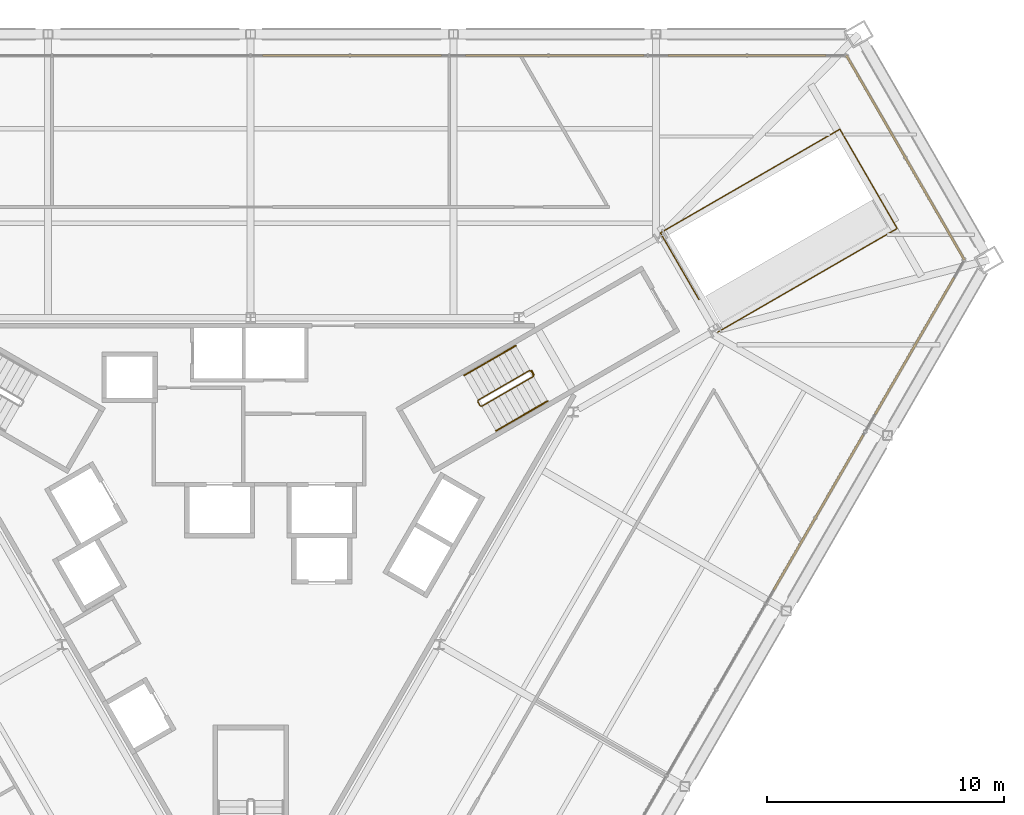
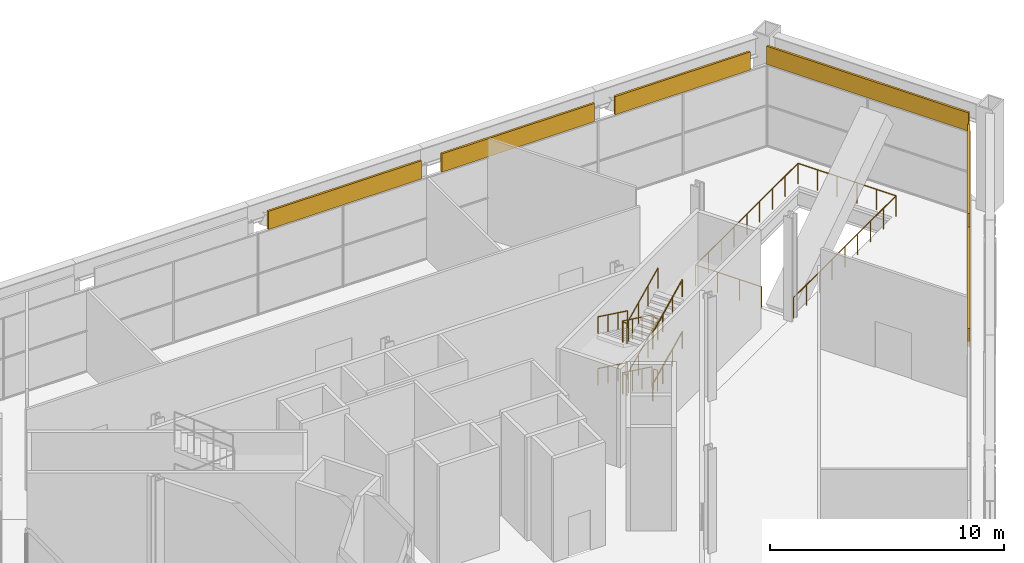
# One storey, part 19 of 20: 7 railings, 6 coverings.
"""IFC4 building model written with IfcOpenShell, lengths in metres."""

import ifcopenshell
import ifcopenshell.guid

model = None  # the IFC model being written
_history = None  # IfcOwnerHistory: only IFC2X3 demands one
_inside = {}  # id of a spatial element -> (the spatial element, [elements in it])
_under = {}  # id of a project, library or spatial element -> (it, [spatial elements below it])
_declared = {}  # id of a project -> (the project, [libraries it declares])
_typed = {}  # id of a type object -> (the type object, [elements of that type])
_made_of = {}  # id of a material, layer set ... -> (it, [elements and type objects made of it])


def new_model(schema):
    """Start an empty IFC model of exactly this schema.

    Asked for "IFC4X3", IfcOpenShell would pick the latest addendum, in which some entities
    have other attributes; the version numbers below select the first issue.
    IFC2X3 requires an IfcOwnerHistory on every rooted entity: one is made here for all.
    """
    global model, _history
    if schema == "IFC4X3":
        model = ifcopenshell.file(schema_version=(4, 3, 0, 0))
    else:
        model = ifcopenshell.file(schema=schema)
    _inside.clear()
    _under.clear()
    _declared.clear()
    _typed.clear()
    _made_of.clear()
    _history = None
    if model.schema == "IFC2X3":
        org = make("IfcOrganization", Name="unknown")
        user = make(
            "IfcPersonAndOrganization",
            ThePerson=make("IfcPerson", FamilyName="unknown"),
            TheOrganization=org,
        )
        app = make(
            "IfcApplication",
            ApplicationDeveloper=org,
            Version="unknown",
            ApplicationFullName="unknown",
            ApplicationIdentifier="unknown",
        )
        _history = make(
            "IfcOwnerHistory",
            OwningUser=user,
            OwningApplication=app,
            ChangeAction="ADDED",
            CreationDate=0,
        )
    return model


def make(cls, **values):
    """One entity of the class cls with the attributes given. An attribute that is None is left unset."""
    return model.create_entity(
        cls, **{name: value for name, value in values.items() if value is not None}
    )


def rooted(cls, **values):
    """An entity with a GlobalId (a new one), such as an element, a storey or a relation."""
    return make(cls, GlobalId=ifcopenshell.guid.new(), OwnerHistory=_history, **values)


def si_unit(unit_type, name, prefix=None):
    """IfcSIUnit, for example si_unit("LENGTHUNIT", "METRE", prefix="MILLI")."""
    return make("IfcSIUnit", UnitType=unit_type, Prefix=prefix, Name=name)


def assignment(units):
    """IfcUnitAssignment: the units of a project."""
    return None if units is None else make("IfcUnitAssignment", Units=units)


def point(xyz):
    """IfcCartesianPoint."""
    return None if xyz is None else make("IfcCartesianPoint", Coordinates=xyz)


def direction(xyz):
    """IfcDirection."""
    return None if xyz is None else make("IfcDirection", DirectionRatios=xyz)


def frame(location, z_axis=None, x_axis=None):
    """IfcAxis2Placement3D, a coordinate frame: its origin and axes. An axis left out is left unset."""
    return make(
        "IfcAxis2Placement3D",
        Location=point(location),
        Axis=direction(z_axis),
        RefDirection=direction(x_axis),
    )


def frame_2d(location, x_axis=None):
    """IfcAxis2Placement2D, a coordinate frame in the plane: its origin and x axis."""
    return make(
        "IfcAxis2Placement2D", Location=point(location), RefDirection=direction(x_axis)
    )


def origin():
    """The frame at (0, 0, 0) with its axes left unset."""
    return frame((0.0, 0.0, 0.0))


def origin_2d():
    """The frame at (0, 0) in the plane with its x axis left unset."""
    return frame_2d((0.0, 0.0))


def place(relative_to, where):
    """IfcLocalPlacement: puts the frame where relative to a parent placement (None: the world)."""
    return make(
        "IfcLocalPlacement", PlacementRelTo=relative_to, RelativePlacement=where
    )


def context(
    kind, dimensions, precision=None, world=None, true_north=None, identifier=None
):
    """IfcGeometricRepresentationContext, for example the 3D "Model" context."""
    return make(
        "IfcGeometricRepresentationContext",
        ContextIdentifier=identifier,
        ContextType=kind,
        CoordinateSpaceDimension=dimensions,
        Precision=precision,
        WorldCoordinateSystem=world,
        TrueNorth=true_north,
    )


def subcontext(parent, identifier, kind, view, scale=None):
    """IfcGeometricRepresentationSubContext, for example "Body" below "Model"."""
    return make(
        "IfcGeometricRepresentationSubContext",
        ContextIdentifier=identifier,
        ContextType=kind,
        ParentContext=parent,
        TargetScale=scale,
        TargetView=view,
    )


def project(units=None, contexts=None):
    """IfcProject with its units and contexts."""
    return rooted(
        "IfcProject",
        Name="project",
        RepresentationContexts=contexts,
        UnitsInContext=assignment(units),
    )


def spatial(cls, under=None, at=None, **own):
    """A site, building, storey or space (cls), placed at a placement, below another one or the project."""
    s = rooted(cls, ObjectPlacement=at, **own)
    if under is not None:
        _under.setdefault(under.id(), (under, []))[1].append(s)
    return s


def profile(cls, at=None, kind="AREA", **sizes):
    """A parametric profile (cls). Its sizes go by their IFC names, for example OverallWidth=200.0."""
    return make(cls, ProfileType=kind, Position=at, **sizes)


def rectangle(**sizes):
    """IfcRectangleProfileDef."""
    return profile("IfcRectangleProfileDef", **sizes)


def circle(**sizes):
    """IfcCircleProfileDef."""
    return profile("IfcCircleProfileDef", **sizes)


def extrude(swept, where, along, depth):
    """IfcExtrudedAreaSolid: the profile swept, set in the frame where, extruded along a direction by depth."""
    return make(
        "IfcExtrudedAreaSolid",
        SweptArea=swept,
        Position=where,
        ExtrudedDirection=direction(along),
        Depth=depth,
    )


def shape(context_of_items, identifier, shape_type, items):
    """IfcShapeRepresentation: the items that make up one representation, for example the "Body"."""
    return make(
        "IfcShapeRepresentation",
        ContextOfItems=context_of_items,
        RepresentationIdentifier=identifier,
        RepresentationType=shape_type,
        Items=items,
    )


def material(Name=None, Category=None):
    """IfcMaterial."""
    return make("IfcMaterial", Name=Name, Category=Category)


def layer(
    of_material, thickness, ventilated=None, Name=None, Category=None, Priority=None
):
    """IfcMaterialLayer: one layer of a wall or slab, of a material (None: an air gap)."""
    return make(
        "IfcMaterialLayer",
        Material=of_material,
        LayerThickness=thickness,
        IsVentilated=ventilated,
        Name=Name,
        Category=Category,
        Priority=Priority,
    )


def layer_set(layers, Name=None):
    """IfcMaterialLayerSet."""
    return make("IfcMaterialLayerSet", MaterialLayers=layers, LayerSetName=Name)


def made_of(thing, what):
    """Note that an element or type object is made of a material, layer set ...; save() writes the relation."""
    if what is not None:
        _made_of.setdefault(what.id(), (what, []))[1].append(thing)
    return thing


def type_object(cls, material=None, **own):
    """A type object (cls), such as IfcWallType, which elements share."""
    return made_of(rooted(cls, **own), material)


def element(
    cls,
    number,
    at=None,
    inside=None,
    cuts=None,
    type_object=None,
    material=None,
    context=None,
    identifier="Body",
    shape_type=None,
    held_by="IfcProductDefinitionShape",
    body=None,
    shapes=None,
    **own,
):
    """One element of the class cls, such as IfcWall. Its Tag is "e" and its number.

    at: its placement. inside: the storey or other place that contains it. cuts: it is an
    opening in that element (IfcRelVoidsElement). A single representation is given by context,
    identifier, shape_type and body (its items); several are given by shapes. held_by: the class
    of the entity that holds the representations. save() writes the other relations.
    """
    e = rooted(cls, Tag="e%d" % number, ObjectPlacement=at, **own)
    if body is not None:
        shapes = [shape(context, identifier, shape_type, body)]
    if shapes is not None:
        e.Representation = make(held_by, Representations=shapes)
    if inside is not None:
        _inside.setdefault(inside.id(), (inside, []))[1].append(e)
    if cuts is not None:
        rooted(
            "IfcRelVoidsElement", RelatingBuildingElement=cuts, RelatedOpeningElement=e
        )
    if type_object is not None:
        _typed.setdefault(type_object.id(), (type_object, []))[1].append(e)
    return made_of(e, material)


def aggregate(whole, parts):
    """IfcRelAggregates: a whole, such as a stair, and the parts it consists of."""
    return rooted("IfcRelAggregates", RelatingObject=whole, RelatedObjects=parts)


def save(model, path):
    """Write the relations noted so far, then the file.

    IfcRelAggregates (storeys below a building ...), IfcRelContainedInSpatialStructure (elements
    in a storey), IfcRelDefinesByType, IfcRelAssociatesMaterial and IfcRelDeclares: one each for
    every whole, place, type object, material and project.
    """
    for whole, parts in _under.values():
        aggregate(whole, parts)
    for where, things in _inside.values():
        rooted(
            "IfcRelContainedInSpatialStructure",
            RelatedElements=things,
            RelatingStructure=where,
        )
    for kind, things in _typed.values():
        rooted("IfcRelDefinesByType", RelatedObjects=things, RelatingType=kind)
    for what, things in _made_of.values():
        rooted("IfcRelAssociatesMaterial", RelatedObjects=things, RelatingMaterial=what)
    for by, libraries in _declared.values():
        rooted("IfcRelDeclares", RelatingContext=by, RelatedDefinitions=libraries)
    model.write(path)


model = new_model("IFC4")

# Units and contexts
model_context = context("Model", 3, precision=1e-05, world=origin(), true_north=direction((0.0, 1.0)))
body_context = subcontext(model_context, "Body", "Model", "MODEL_VIEW")
ifc_project = project(units=[si_unit("LENGTHUNIT", "METRE"), si_unit("AREAUNIT", "SQUARE_METRE"), si_unit("VOLUMEUNIT", "CUBIC_METRE"), si_unit("PLANEANGLEUNIT", "RADIAN"), si_unit("MASSUNIT", "GRAM", prefix="KILO")], contexts=[model_context])

# Site, building, storey
site_placement = place(None, origin())
site = spatial("IfcSite", under=ifc_project, at=site_placement, CompositionType="ELEMENT")
building_placement = place(site_placement, origin())
building = spatial("IfcBuilding", under=site, at=building_placement, Name="Verrane Prism Tower", CompositionType="ELEMENT")
storey_placement = place(building_placement, frame((0.0, 0.0, 12.0)))
storey = spatial("IfcBuildingStorey", under=building, at=storey_placement, Name="L01", CompositionType="ELEMENT", Elevation=12.0)

# Coverings
ifc_material_1 = material(Name="Limestone cladding", Category="masonry")
ifc_layer = layer(ifc_material_1, 0.10009765625)
ifc_layer_set = layer_set([ifc_layer], Name="FA-100 stone fascia panel")
covering_type = type_object("IfcCoveringType", Name="FA-100 stone fascia panel", PredefinedType="CLADDING", material=ifc_layer_set)
covering_1_placement = place(storey_placement, frame((27.63818359375, 15.956787109375, 4.2900390625), z_axis=(0.0, 0.0, 1.0), x_axis=(-0.499999190728, 0.866025871017, 0.0)))
element("IfcCovering", 1, at=covering_1_placement, inside=storey, type_object=covering_type, Name="Stone fascia L01 1.1", PredefinedType="CLADDING", context=body_context, shape_type="SweptSolid", body=[
    extrude(rectangle(XDim=9.960693359375, YDim=0.10009765625, at=origin_2d()), origin(), (0.0, 0.0, 1.0), 0.949951171875),
])
covering_2_placement = place(storey_placement, frame((20.948486328125, 20.27001953125, 4.2900390625), z_axis=(0.0, 0.0, 1.0), x_axis=(-1.0, 0.0, 0.0)))
element("IfcCovering", 2, at=covering_2_placement, inside=storey, type_object=covering_type, Name="Stone fascia L01 2.1", PredefinedType="CLADDING", context=body_context, shape_type="SweptSolid", body=[
    extrude(rectangle(XDim=6.6767578125, YDim=0.10009765625, at=origin_2d()), origin(), (0.0, 0.0, 1.0), 0.949951171875),
])
covering_3_placement = place(storey_placement, frame((12.8349609375, 20.27001953125, 4.2900390625), z_axis=(0.0, 0.0, 1.0), x_axis=(-1.0, 0.0, 0.0)))
element("IfcCovering", 3, at=covering_3_placement, inside=storey, type_object=covering_type, Name="Stone fascia L01 2.2", PredefinedType="CLADDING", context=body_context, shape_type="SweptSolid", body=[
    extrude(rectangle(XDim=7.550048828125, YDim=0.10009765625, at=origin_2d()), origin(), (0.0, 0.0, 1.0), 0.949951171875),
])
covering_4_placement = place(storey_placement, frame((4.280029296875, 20.27001953125, 4.2900390625), z_axis=(0.0, 0.0, 1.0), x_axis=(-1.0, 0.0, 0.0)))
element("IfcCovering", 4, at=covering_4_placement, inside=storey, type_object=covering_type, Name="Stone fascia L01 2.3", PredefinedType="CLADDING", context=body_context, shape_type="SweptSolid", body=[
    extrude(rectangle(XDim=7.56005859375, YDim=0.10009765625, at=origin_2d()), origin(), (0.0, 0.0, 1.0), 0.949951171875),
])
covering_5_placement = place(storey_placement, frame((23.96923828125, 0.975830078125, 4.2900390625), z_axis=(0.0, 0.0, 1.0), x_axis=(0.500000118955, 0.866025335106, 0.0)))
element("IfcCovering", 5, at=covering_5_placement, inside=storey, type_object=covering_type, Name="Stone fascia L01 6.5", PredefinedType="CLADDING", context=body_context, shape_type="SweptSolid", body=[
    extrude(rectangle(XDim=7.557373046875, YDim=0.10009765625, at=origin_2d()), origin(), (0.0, 0.0, 1.0), 0.949951171875),
])
covering_6_placement = place(storey_placement, frame((28.026123046875, 8.002685546875, 4.2900390625), z_axis=(0.0, 0.0, 1.0), x_axis=(0.500000118955, 0.866025335106, 0.0)))
element("IfcCovering", 6, at=covering_6_placement, inside=storey, type_object=covering_type, Name="Stone fascia L01 6.6", PredefinedType="CLADDING", context=body_context, shape_type="SweptSolid", body=[
    extrude(rectangle(XDim=6.670654296875, YDim=0.10009765625, at=origin_2d()), origin(), (0.0, 0.0, 1.0), 0.949951171875),
])

# Railings
ifc_material_2 = material(Name="Stainless steel and laminated glass", Category="steel")
railing_type_1 = type_object("IfcRailingType", Name="GR-1100 glass and steel guard", PredefinedType="GUARDRAIL", material=ifc_material_2)
railing_1_placement = place(storey_placement, frame((19.717041015625, 8.589111328125, 0.0)))
element("IfcRailing", 7, at=railing_1_placement, inside=storey, type_object=railing_type_1, Name="Guard EW1 L01 1", PredefinedType="GUARDRAIL", context=body_context, shape_type="SweptSolid", body=[
    extrude(circle(Radius=0.02392578125, at=origin_2d()), frame((0.0, 0.0, 1.076171875), z_axis=(0.866022959057, 0.500004234368, 0.0), x_axis=(-0.500004234368, 0.866022959057, 0.0)), (0.0, 0.0, 1.0), 8.75),
    extrude(circle(Radius=0.02392578125, at=origin_2d()), frame((7.57763671875, 4.375, 1.076171875), z_axis=(-0.499980071345, 0.866036909293, 0.0), x_axis=(-0.866036909293, -0.499980071345, 0.0)), (0.0, 0.0, 1.0), 4.840087890625),
    extrude(circle(Radius=0.02392578125, at=origin_2d()), frame((5.15771484375, 8.566650390625, 1.076171875), z_axis=(-0.866029934428, -0.499992152613, 0.0), x_axis=(0.499992152613, -0.866029934428, 0.0)), (0.0, 0.0, 1.0), 8.750244140625),
    extrude(circle(Radius=0.02392578125, at=origin_2d()), frame((-2.420166015625, 4.191650390625, 1.076171875), z_axis=(0.500017246033, -0.866015446554, 0.0), x_axis=(0.866015446554, 0.500017246033, 0.0)), (0.0, 0.0, 1.0), 3.25),
    extrude(circle(Radius=0.02099609375, at=origin_2d()), origin(), (0.0, 0.0, 1.0), 1.052001953125),
    extrude(circle(Radius=0.02099609375, at=origin_2d()), frame((0.947265625, 0.546875, 0.0)), (0.0, 0.0, 1.0), 1.052001953125),
    extrude(circle(Radius=0.02099609375, at=origin_2d()), frame((1.89453125, 1.09375, 0.0)), (0.0, 0.0, 1.0), 1.052001953125),
    extrude(circle(Radius=0.02099609375, at=origin_2d()), frame((2.841552734375, 1.640625, 0.0)), (0.0, 0.0, 1.0), 1.052001953125),
    extrude(circle(Radius=0.02099609375, at=origin_2d()), frame((3.788818359375, 2.1875, 0.0)), (0.0, 0.0, 1.0), 1.052001953125),
    extrude(circle(Radius=0.02099609375, at=origin_2d()), frame((4.736083984375, 2.734375, 0.0)), (0.0, 0.0, 1.0), 1.052001953125),
    extrude(circle(Radius=0.02099609375, at=origin_2d()), frame((5.68310546875, 3.28125, 0.0)), (0.0, 0.0, 1.0), 1.052001953125),
    extrude(circle(Radius=0.02099609375, at=origin_2d()), frame((6.63037109375, 3.828125, 0.0)), (0.0, 0.0, 1.0), 1.052001953125),
    extrude(circle(Radius=0.02099609375, at=origin_2d()), frame((7.57763671875, 4.375, 0.0)), (0.0, 0.0, 1.0), 1.052001953125),
    extrude(circle(Radius=0.02099609375, at=origin_2d()), frame((7.09375, 5.21337890625, 0.0)), (0.0, 0.0, 1.0), 1.052001953125),
    extrude(circle(Radius=0.02099609375, at=origin_2d()), frame((6.609619140625, 6.0517578125, 0.0)), (0.0, 0.0, 1.0), 1.052001953125),
    extrude(circle(Radius=0.02099609375, at=origin_2d()), frame((6.125732421875, 6.889892578125, 0.0)), (0.0, 0.0, 1.0), 1.052001953125),
    extrude(circle(Radius=0.02099609375, at=origin_2d()), frame((5.6416015625, 7.728271484375, 0.0)), (0.0, 0.0, 1.0), 1.052001953125),
    extrude(circle(Radius=0.02099609375, at=origin_2d()), frame((5.15771484375, 8.566650390625, 0.0)), (0.0, 0.0, 1.0), 1.052001953125),
    extrude(circle(Radius=0.02099609375, at=origin_2d()), frame((4.21044921875, 8.019775390625, 0.0)), (0.0, 0.0, 1.0), 1.052001953125),
    extrude(circle(Radius=0.02099609375, at=origin_2d()), frame((3.26318359375, 7.472900390625, 0.0)), (0.0, 0.0, 1.0), 1.052001953125),
    extrude(circle(Radius=0.02099609375, at=origin_2d()), frame((2.31591796875, 6.926025390625, 0.0)), (0.0, 0.0, 1.0), 1.052001953125),
    extrude(circle(Radius=0.02099609375, at=origin_2d()), frame((1.36865234375, 6.379150390625, 0.0)), (0.0, 0.0, 1.0), 1.052001953125),
    extrude(circle(Radius=0.02099609375, at=origin_2d()), frame((0.421630859375, 5.832275390625, 0.0)), (0.0, 0.0, 1.0), 1.052001953125),
    extrude(circle(Radius=0.02099609375, at=origin_2d()), frame((-0.525634765625, 5.285400390625, 0.0)), (0.0, 0.0, 1.0), 1.052001953125),
    extrude(circle(Radius=0.02099609375, at=origin_2d()), frame((-1.472900390625, 4.738525390625, 0.0)), (0.0, 0.0, 1.0), 1.052001953125),
    extrude(circle(Radius=0.02099609375, at=origin_2d()), frame((-2.420166015625, 4.191650390625, 0.0)), (0.0, 0.0, 1.0), 1.052001953125),
    extrude(circle(Radius=0.02099609375, at=origin_2d()), frame((-1.87841796875, 3.25341796875, 0.0)), (0.0, 0.0, 1.0), 1.052001953125),
    extrude(circle(Radius=0.02099609375, at=origin_2d()), frame((-1.3369140625, 2.3154296875, 0.0)), (0.0, 0.0, 1.0), 1.052001953125),
    extrude(circle(Radius=0.02099609375, at=origin_2d()), frame((-0.795166015625, 1.377197265625, 0.0)), (0.0, 0.0, 1.0), 1.052001953125),
])
ifc_material_3 = material(Name="Steel A36 rail and posts, no infill", Category="steel")
railing_type_2 = type_object("IfcRailingType", Name="Stair guard 1100 steel rail and posts", PredefinedType="GUARDRAIL", material=ifc_material_3)
railing_2_placement = place(storey_placement, frame((11.78955078125, 6.97998046875, 0.135009765625)))
element("IfcRailing", 8, at=railing_2_placement, inside=storey, type_object=railing_type_2, Name="Stair 1 guard", PredefinedType="GUARDRAIL", context=body_context, shape_type="SweptSolid", body=[
    extrude(circle(Radius=0.02392578125, at=origin_2d()), frame((0.0, 0.0, 1.076171875), z_axis=(-0.780075155716, -0.450382355817, 0.434325321624), x_axis=(0.500004791531, -0.866022637375, 0.0)), (0.0, 0.0, 1.0), 2.797607421875),
    extrude(circle(Radius=0.02392578125, at=origin_2d()), frame((-2.182373046875, -1.260009765625, 2.291015625), z_axis=(-0.258736085224, -0.965948051503, 0.0), x_axis=(0.965948051503, -0.258736085224, 0.0)), (0.0, 0.0, 1.0), 0.07080078125),
    extrude(circle(Radius=0.02392578125, at=origin_2d()), frame((-2.20068359375, -1.328369140625, 2.291015625), z_axis=(0.500603037456, -0.865676959893, 0.0), x_axis=(0.865676959893, 0.500603037456, 0.0)), (0.0, 0.0, 1.0), 0.199951171875),
    extrude(circle(Radius=0.02392578125, at=origin_2d()), frame((-2.1005859375, -1.50146484375, 2.291015625), z_axis=(0.447173384391, -0.12020789903, 0.886332908846), x_axis=(0.259601060869, 0.965715946433, 0.0)), (0.0, 0.0, 1.0), 0.15234375),
    extrude(circle(Radius=0.02392578125, at=origin_2d()), frame((-2.032470703125, -1.519775390625, 2.42626953125), z_axis=(0.780104720871, 0.450399425485, 0.434254512927), x_axis=(-0.500004791531, 0.866022637375, 0.0)), (0.0, 0.0, 1.0), 2.797607421875),
    extrude(circle(Radius=0.02392578125, at=origin_2d()), frame((0.14990234375, -0.259765625, 3.64111328125), z_axis=(-0.3199613899, 0.947430582667, 0.0), x_axis=(-0.947430582667, -0.3199613899, 0.0)), (0.0, 0.0, 1.0), 0.2548828125),
    extrude(circle(Radius=0.02392578125, at=origin_2d()), frame((0.068359375, -0.018310546875, 3.64111328125), z_axis=(0.499158860599, -0.866510491504, 0.0), x_axis=(0.866510491504, 0.499158860599, 0.0)), (0.0, 0.0, 1.0), 0.199951171875),
    extrude(circle(Radius=0.02392578125, at=origin_2d()), frame((0.168212890625, -0.191650390625, 3.64111328125), z_axis=(-0.582987314127, 0.664216315805, 0.467912895083), x_axis=(-0.751567565678, -0.659656118156, 0.0)), (0.0, 0.0, 1.0), 0.28857421875),
    extrude(circle(Radius=0.02392578125, at=origin_2d()), frame((0.0, 0.0, 3.77587890625), z_axis=(-0.780075155716, -0.450382355817, 0.434325321624), x_axis=(0.500004791531, -0.866022637375, 0.0)), (0.0, 0.0, 1.0), 2.797607421875),
    extrude(circle(Radius=0.02392578125, at=origin_2d()), frame((-2.182373046875, -1.260009765625, 4.9912109375), z_axis=(-0.258736085224, -0.965948051503, 0.0), x_axis=(0.965948051503, -0.258736085224, 0.0)), (0.0, 0.0, 1.0), 0.07080078125),
    extrude(circle(Radius=0.02392578125, at=origin_2d()), frame((-2.20068359375, -1.328369140625, 4.9912109375), z_axis=(0.500603037456, -0.865676959893, 0.0), x_axis=(0.865676959893, 0.500603037456, 0.0)), (0.0, 0.0, 1.0), 0.199951171875),
    extrude(circle(Radius=0.02392578125, at=origin_2d()), frame((-2.1005859375, -1.50146484375, 4.9912109375), z_axis=(0.447173384391, -0.12020789903, 0.886332908846), x_axis=(0.259601060869, 0.965715946433, 0.0)), (0.0, 0.0, 1.0), 0.15234375),
    extrude(circle(Radius=0.02392578125, at=origin_2d()), frame((-2.032470703125, -1.519775390625, 5.1259765625), z_axis=(0.780104720871, 0.450399425485, 0.434254512927), x_axis=(-0.500004791531, 0.866022637375, 0.0)), (0.0, 0.0, 1.0), 2.797607421875),
    extrude(circle(Radius=0.02099609375, at=origin_2d()), origin(), (0.0, 0.0, 1.0), 1.052001953125),
    extrude(circle(Radius=0.02099609375, at=origin_2d()), frame((-0.7275390625, -0.419921875, 0.405029296875)), (0.0, 0.0, 1.0), 1.052001953125),
    extrude(circle(Radius=0.02099609375, at=origin_2d()), frame((-1.454833984375, -0.840087890625, 0.81005859375)), (0.0, 0.0, 1.0), 1.052001953125),
    extrude(circle(Radius=0.02099609375, at=origin_2d()), frame((-2.182373046875, -1.260009765625, 1.215087890625)), (0.0, 0.0, 1.0), 1.052001953125),
    extrude(circle(Radius=0.02099609375, at=origin_2d()), frame((-2.20068359375, -1.328369140625, 1.215087890625)), (0.0, 0.0, 1.0), 1.052001953125),
    extrude(circle(Radius=0.02099609375, at=origin_2d()), frame((-2.1005859375, -1.50146484375, 1.215087890625)), (0.0, 0.0, 1.0), 1.052001953125),
    extrude(circle(Radius=0.02099609375, at=origin_2d()), frame((-2.032470703125, -1.519775390625, 1.35009765625)), (0.0, 0.0, 1.0), 1.052001953125),
    extrude(circle(Radius=0.02099609375, at=origin_2d()), frame((-1.304931640625, -1.099853515625, 1.755126953125)), (0.0, 0.0, 1.0), 1.052001953125),
    extrude(circle(Radius=0.02099609375, at=origin_2d()), frame((-0.57763671875, -0.6796875, 2.159912109375)), (0.0, 0.0, 1.0), 1.052001953125),
    extrude(circle(Radius=0.02099609375, at=origin_2d()), frame((0.14990234375, -0.259765625, 2.56494140625)), (0.0, 0.0, 1.0), 1.052001953125),
    extrude(circle(Radius=0.02099609375, at=origin_2d()), frame((0.068359375, -0.018310546875, 2.56494140625)), (0.0, 0.0, 1.0), 1.052001953125),
    extrude(circle(Radius=0.02099609375, at=origin_2d()), frame((0.168212890625, -0.191650390625, 2.56494140625)), (0.0, 0.0, 1.0), 1.052001953125),
    extrude(circle(Radius=0.02099609375, at=origin_2d()), frame((0.0, 0.0, 2.699951171875)), (0.0, 0.0, 1.0), 1.052001953125),
    extrude(circle(Radius=0.02099609375, at=origin_2d()), frame((-0.7275390625, -0.419921875, 3.10498046875)), (0.0, 0.0, 1.0), 1.052001953125),
    extrude(circle(Radius=0.02099609375, at=origin_2d()), frame((-1.454833984375, -0.840087890625, 3.510009765625)), (0.0, 0.0, 1.0), 1.052001953125),
    extrude(circle(Radius=0.02099609375, at=origin_2d()), frame((-2.182373046875, -1.260009765625, 3.9150390625)), (0.0, 0.0, 1.0), 1.052001953125),
    extrude(circle(Radius=0.02099609375, at=origin_2d()), frame((-2.20068359375, -1.328369140625, 3.9150390625)), (0.0, 0.0, 1.0), 1.052001953125),
    extrude(circle(Radius=0.02099609375, at=origin_2d()), frame((-2.1005859375, -1.50146484375, 3.9150390625)), (0.0, 0.0, 1.0), 1.052001953125),
    extrude(circle(Radius=0.02099609375, at=origin_2d()), frame((-2.032470703125, -1.519775390625, 4.050048828125)), (0.0, 0.0, 1.0), 1.052001953125),
    extrude(circle(Radius=0.02099609375, at=origin_2d()), frame((-1.304931640625, -1.099853515625, 4.455078125)), (0.0, 0.0, 1.0), 1.052001953125),
    extrude(circle(Radius=0.02099609375, at=origin_2d()), frame((-0.57763671875, -0.6796875, 4.85986328125)), (0.0, 0.0, 1.0), 1.052001953125),
    extrude(circle(Radius=0.02099609375, at=origin_2d()), frame((0.14990234375, -0.259765625, 5.264892578125)), (0.0, 0.0, 1.0), 1.052001953125),
])
railing_3_placement = place(storey_placement, frame((11.85791015625, 6.961669921875, 0.0)))
element("IfcRailing", 9, at=railing_3_placement, inside=storey, type_object=railing_type_2, Name="Stair 1 guard", PredefinedType="GUARDRAIL", context=body_context, shape_type="SweptSolid", body=[
    extrude(circle(Radius=0.02392578125, at=origin_2d()), frame((0.0, 0.0, 1.076171875), z_axis=(0.499158860599, -0.866510491504, 0.0), x_axis=(0.866510491504, 0.499158860599, 0.0)), (0.0, 0.0, 1.0), 0.199951171875),
    extrude(circle(Radius=0.02099609375, at=origin_2d()), origin(), (0.0, 0.0, 1.0), 1.052001953125),
    extrude(circle(Radius=0.02099609375, at=origin_2d()), frame((0.099853515625, -0.17333984375, 0.0)), (0.0, 0.0, 1.0), 1.052001953125),
])
ifc_material_4 = material(Name="Steel A36 tube", Category="steel")
railing_type_3 = type_object("IfcRailingType", Name="Stair handrail 900 steel tube", PredefinedType="HANDRAIL", material=ifc_material_4)
railing_4_placement = place(storey_placement, frame((11.189453125, 8.01904296875, 0.135009765625)))
element("IfcRailing", 10, at=railing_4_placement, inside=storey, type_object=railing_type_3, Name="Stair 1 handrail", PredefinedType="HANDRAIL", context=body_context, shape_type="SweptSolid", body=[
    extrude(circle(Radius=0.02392578125, at=origin_2d()), frame((0.0, 0.0, 0.8759765625), z_axis=(-0.780075155716, -0.450382355817, 0.434325321624), x_axis=(0.500004791531, -0.866022637375, 0.0)), (0.0, 0.0, 1.0), 2.797607421875),
    extrude(circle(Radius=0.02099609375, at=origin_2d()), origin(), (0.0, 0.0, 1.0), 0.851806640625),
    extrude(circle(Radius=0.02099609375, at=origin_2d()), frame((-0.7275390625, -0.419921875, 0.405029296875)), (0.0, 0.0, 1.0), 0.851806640625),
    extrude(circle(Radius=0.02099609375, at=origin_2d()), frame((-1.454833984375, -0.840087890625, 0.81005859375)), (0.0, 0.0, 1.0), 0.851806640625),
    extrude(circle(Radius=0.02099609375, at=origin_2d()), frame((-2.182373046875, -1.260009765625, 1.215087890625)), (0.0, 0.0, 1.0), 0.851806640625),
])
railing_5_placement = place(storey_placement, frame((10.357177734375, 4.4208984375, 1.485107421875)))
element("IfcRailing", 11, at=railing_5_placement, inside=storey, type_object=railing_type_3, Name="Stair 1 handrail", PredefinedType="HANDRAIL", context=body_context, shape_type="SweptSolid", body=[
    extrude(circle(Radius=0.02392578125, at=origin_2d()), frame((0.0, 0.0, 0.8759765625), z_axis=(0.780104720871, 0.450399425485, 0.434254512927), x_axis=(-0.500004791531, 0.866022637375, 0.0)), (0.0, 0.0, 1.0), 2.797607421875),
    extrude(circle(Radius=0.02099609375, at=origin_2d()), origin(), (0.0, 0.0, 1.0), 0.851806640625),
    extrude(circle(Radius=0.02099609375, at=origin_2d()), frame((0.7275390625, 0.419921875, 0.405029296875)), (0.0, 0.0, 1.0), 0.851806640625),
    extrude(circle(Radius=0.02099609375, at=origin_2d()), frame((1.454833984375, 0.840087890625, 0.809814453125)), (0.0, 0.0, 1.0), 0.851806640625),
    extrude(circle(Radius=0.02099609375, at=origin_2d()), frame((2.182373046875, 1.260009765625, 1.21484375)), (0.0, 0.0, 1.0), 0.851806640625),
])
railing_6_placement = place(storey_placement, frame((11.189453125, 8.01904296875, 2.8349609375)))
element("IfcRailing", 12, at=railing_6_placement, inside=storey, type_object=railing_type_3, Name="Stair 1 handrail", PredefinedType="HANDRAIL", context=body_context, shape_type="SweptSolid", body=[
    extrude(circle(Radius=0.02392578125, at=origin_2d()), frame((0.0, 0.0, 0.8759765625), z_axis=(-0.780075155716, -0.450382355817, 0.434325321624), x_axis=(0.500004791531, -0.866022637375, 0.0)), (0.0, 0.0, 1.0), 2.797607421875),
    extrude(circle(Radius=0.02099609375, at=origin_2d()), origin(), (0.0, 0.0, 1.0), 0.851806640625),
    extrude(circle(Radius=0.02099609375, at=origin_2d()), frame((-0.7275390625, -0.419921875, 0.405029296875)), (0.0, 0.0, 1.0), 0.851806640625),
    extrude(circle(Radius=0.02099609375, at=origin_2d()), frame((-1.454833984375, -0.840087890625, 0.81005859375)), (0.0, 0.0, 1.0), 0.851806640625),
    extrude(circle(Radius=0.02099609375, at=origin_2d()), frame((-2.182373046875, -1.260009765625, 1.215087890625)), (0.0, 0.0, 1.0), 0.851806640625),
])
railing_7_placement = place(storey_placement, frame((10.357177734375, 4.4208984375, 4.18505859375)))
element("IfcRailing", 13, at=railing_7_placement, inside=storey, type_object=railing_type_3, Name="Stair 1 handrail", PredefinedType="HANDRAIL", context=body_context, shape_type="SweptSolid", body=[
    extrude(circle(Radius=0.02392578125, at=origin_2d()), frame((0.0, 0.0, 0.8759765625), z_axis=(0.780104720871, 0.450399425485, 0.434254512927), x_axis=(-0.500004791531, 0.866022637375, 0.0)), (0.0, 0.0, 1.0), 2.797607421875),
    extrude(circle(Radius=0.02099609375, at=origin_2d()), origin(), (0.0, 0.0, 1.0), 0.851806640625),
    extrude(circle(Radius=0.02099609375, at=origin_2d()), frame((0.7275390625, 0.419921875, 0.405029296875)), (0.0, 0.0, 1.0), 0.851806640625),
    extrude(circle(Radius=0.02099609375, at=origin_2d()), frame((1.454833984375, 0.840087890625, 0.809814453125)), (0.0, 0.0, 1.0), 0.851806640625),
    extrude(circle(Radius=0.02099609375, at=origin_2d()), frame((2.182373046875, 1.260009765625, 1.21484375)), (0.0, 0.0, 1.0), 0.851806640625),
])

save(model, "model.ifc")
